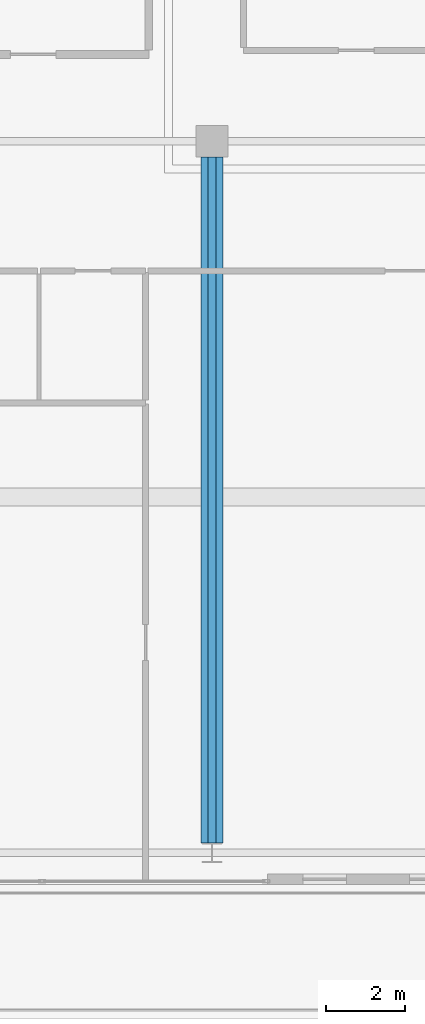
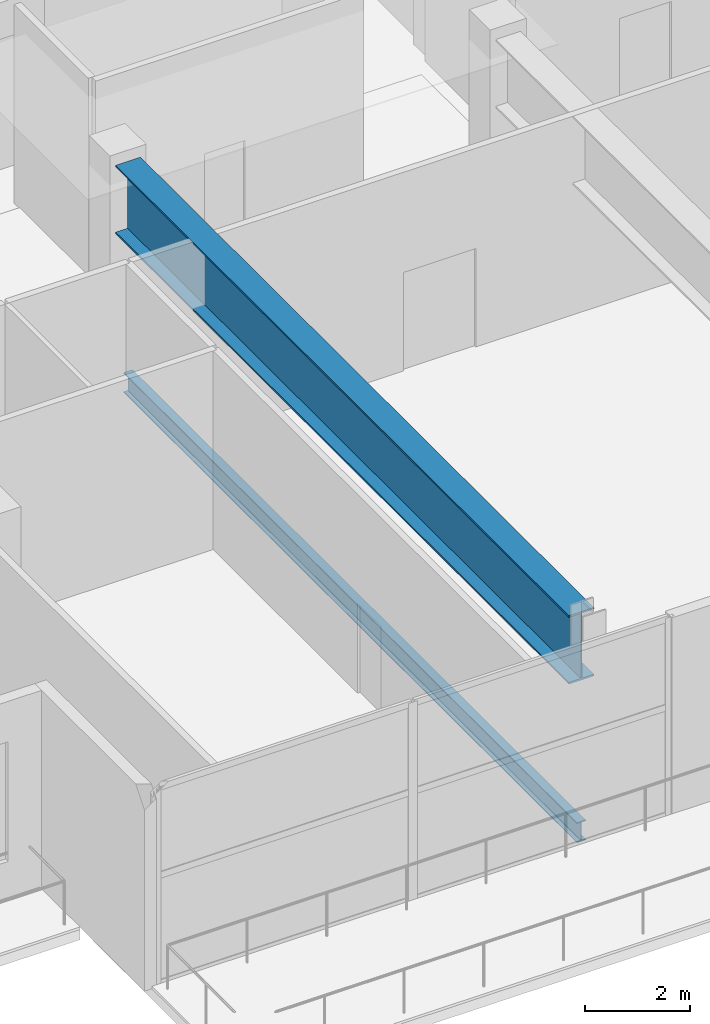
# One storey, part 4 of 22: 2 beams.
"""IFC4 building model written with IfcOpenShell, lengths in metres."""

import ifcopenshell
import ifcopenshell.guid

model = None  # the IFC model being written
_history = None  # IfcOwnerHistory: only IFC2X3 demands one
_inside = {}  # id of a spatial element -> (the spatial element, [elements in it])
_under = {}  # id of a project, library or spatial element -> (it, [spatial elements below it])
_declared = {}  # id of a project -> (the project, [libraries it declares])
_typed = {}  # id of a type object -> (the type object, [elements of that type])
_made_of = {}  # id of a material, layer set ... -> (it, [elements and type objects made of it])


def new_model(schema):
    """Start an empty IFC model of exactly this schema.

    Asked for "IFC4X3", IfcOpenShell would pick the latest addendum, in which some entities
    have other attributes; the version numbers below select the first issue.
    IFC2X3 requires an IfcOwnerHistory on every rooted entity: one is made here for all.
    """
    global model, _history
    if schema == "IFC4X3":
        model = ifcopenshell.file(schema_version=(4, 3, 0, 0))
    else:
        model = ifcopenshell.file(schema=schema)
    _inside.clear()
    _under.clear()
    _declared.clear()
    _typed.clear()
    _made_of.clear()
    _history = None
    if model.schema == "IFC2X3":
        org = make("IfcOrganization", Name="unknown")
        user = make(
            "IfcPersonAndOrganization",
            ThePerson=make("IfcPerson", FamilyName="unknown"),
            TheOrganization=org,
        )
        app = make(
            "IfcApplication",
            ApplicationDeveloper=org,
            Version="unknown",
            ApplicationFullName="unknown",
            ApplicationIdentifier="unknown",
        )
        _history = make(
            "IfcOwnerHistory",
            OwningUser=user,
            OwningApplication=app,
            ChangeAction="ADDED",
            CreationDate=0,
        )
    return model


def make(cls, **values):
    """One entity of the class cls with the attributes given. An attribute that is None is left unset."""
    return model.create_entity(
        cls, **{name: value for name, value in values.items() if value is not None}
    )


def rooted(cls, **values):
    """An entity with a GlobalId (a new one), such as an element, a storey or a relation."""
    return make(cls, GlobalId=ifcopenshell.guid.new(), OwnerHistory=_history, **values)


def si_unit(unit_type, name, prefix=None):
    """IfcSIUnit, for example si_unit("LENGTHUNIT", "METRE", prefix="MILLI")."""
    return make("IfcSIUnit", UnitType=unit_type, Prefix=prefix, Name=name)


def assignment(units):
    """IfcUnitAssignment: the units of a project."""
    return None if units is None else make("IfcUnitAssignment", Units=units)


def point(xyz):
    """IfcCartesianPoint."""
    return None if xyz is None else make("IfcCartesianPoint", Coordinates=xyz)


def direction(xyz):
    """IfcDirection."""
    return None if xyz is None else make("IfcDirection", DirectionRatios=xyz)


def frame(location, z_axis=None, x_axis=None):
    """IfcAxis2Placement3D, a coordinate frame: its origin and axes. An axis left out is left unset."""
    return make(
        "IfcAxis2Placement3D",
        Location=point(location),
        Axis=direction(z_axis),
        RefDirection=direction(x_axis),
    )


def frame_2d(location, x_axis=None):
    """IfcAxis2Placement2D, a coordinate frame in the plane: its origin and x axis."""
    return make(
        "IfcAxis2Placement2D", Location=point(location), RefDirection=direction(x_axis)
    )


def origin():
    """The frame at (0, 0, 0) with its axes left unset."""
    return frame((0.0, 0.0, 0.0))


def origin_2d():
    """The frame at (0, 0) in the plane with its x axis left unset."""
    return frame_2d((0.0, 0.0))


def place(relative_to, where):
    """IfcLocalPlacement: puts the frame where relative to a parent placement (None: the world)."""
    return make(
        "IfcLocalPlacement", PlacementRelTo=relative_to, RelativePlacement=where
    )


def context(
    kind, dimensions, precision=None, world=None, true_north=None, identifier=None
):
    """IfcGeometricRepresentationContext, for example the 3D "Model" context."""
    return make(
        "IfcGeometricRepresentationContext",
        ContextIdentifier=identifier,
        ContextType=kind,
        CoordinateSpaceDimension=dimensions,
        Precision=precision,
        WorldCoordinateSystem=world,
        TrueNorth=true_north,
    )


def subcontext(parent, identifier, kind, view, scale=None):
    """IfcGeometricRepresentationSubContext, for example "Body" below "Model"."""
    return make(
        "IfcGeometricRepresentationSubContext",
        ContextIdentifier=identifier,
        ContextType=kind,
        ParentContext=parent,
        TargetScale=scale,
        TargetView=view,
    )


def project(units=None, contexts=None):
    """IfcProject with its units and contexts."""
    return rooted(
        "IfcProject",
        Name="project",
        RepresentationContexts=contexts,
        UnitsInContext=assignment(units),
    )


def spatial(cls, under=None, at=None, **own):
    """A site, building, storey or space (cls), placed at a placement, below another one or the project."""
    s = rooted(cls, ObjectPlacement=at, **own)
    if under is not None:
        _under.setdefault(under.id(), (under, []))[1].append(s)
    return s


def profile(cls, at=None, kind="AREA", **sizes):
    """A parametric profile (cls). Its sizes go by their IFC names, for example OverallWidth=200.0."""
    return make(cls, ProfileType=kind, Position=at, **sizes)


def i_section(**sizes):
    """IfcIShapeProfileDef."""
    return profile("IfcIShapeProfileDef", **sizes)


def extrude(swept, where, along, depth):
    """IfcExtrudedAreaSolid: the profile swept, set in the frame where, extruded along a direction by depth."""
    return make(
        "IfcExtrudedAreaSolid",
        SweptArea=swept,
        Position=where,
        ExtrudedDirection=direction(along),
        Depth=depth,
    )


def shape(context_of_items, identifier, shape_type, items):
    """IfcShapeRepresentation: the items that make up one representation, for example the "Body"."""
    return make(
        "IfcShapeRepresentation",
        ContextOfItems=context_of_items,
        RepresentationIdentifier=identifier,
        RepresentationType=shape_type,
        Items=items,
    )


def material(Name=None, Category=None):
    """IfcMaterial."""
    return make("IfcMaterial", Name=Name, Category=Category)


def material_profile(
    of_material, cross_section, Name=None, Category=None, Priority=None
):
    """IfcMaterialProfile: a cross section and its material."""
    return make(
        "IfcMaterialProfile",
        Name=Name,
        Material=of_material,
        Profile=cross_section,
        Priority=Priority,
        Category=Category,
    )


def profile_set(profiles, Name=None, composite=None):
    """IfcMaterialProfileSet."""
    return make(
        "IfcMaterialProfileSet",
        Name=Name,
        MaterialProfiles=profiles,
        CompositeProfile=composite,
    )


def made_of(thing, what):
    """Note that an element or type object is made of a material, layer set ...; save() writes the relation."""
    if what is not None:
        _made_of.setdefault(what.id(), (what, []))[1].append(thing)
    return thing


def type_object(cls, material=None, **own):
    """A type object (cls), such as IfcWallType, which elements share."""
    return made_of(rooted(cls, **own), material)


def element(
    cls,
    number,
    at=None,
    inside=None,
    cuts=None,
    type_object=None,
    material=None,
    context=None,
    identifier="Body",
    shape_type=None,
    held_by="IfcProductDefinitionShape",
    body=None,
    shapes=None,
    **own,
):
    """One element of the class cls, such as IfcWall. Its Tag is "e" and its number.

    at: its placement. inside: the storey or other place that contains it. cuts: it is an
    opening in that element (IfcRelVoidsElement). A single representation is given by context,
    identifier, shape_type and body (its items); several are given by shapes. held_by: the class
    of the entity that holds the representations. save() writes the other relations.
    """
    e = rooted(cls, Tag="e%d" % number, ObjectPlacement=at, **own)
    if body is not None:
        shapes = [shape(context, identifier, shape_type, body)]
    if shapes is not None:
        e.Representation = make(held_by, Representations=shapes)
    if inside is not None:
        _inside.setdefault(inside.id(), (inside, []))[1].append(e)
    if cuts is not None:
        rooted(
            "IfcRelVoidsElement", RelatingBuildingElement=cuts, RelatedOpeningElement=e
        )
    if type_object is not None:
        _typed.setdefault(type_object.id(), (type_object, []))[1].append(e)
    return made_of(e, material)


def aggregate(whole, parts):
    """IfcRelAggregates: a whole, such as a stair, and the parts it consists of."""
    return rooted("IfcRelAggregates", RelatingObject=whole, RelatedObjects=parts)


def save(model, path):
    """Write the relations noted so far, then the file.

    IfcRelAggregates (storeys below a building ...), IfcRelContainedInSpatialStructure (elements
    in a storey), IfcRelDefinesByType, IfcRelAssociatesMaterial and IfcRelDeclares: one each for
    every whole, place, type object, material and project.
    """
    for whole, parts in _under.values():
        aggregate(whole, parts)
    for where, things in _inside.values():
        rooted(
            "IfcRelContainedInSpatialStructure",
            RelatedElements=things,
            RelatingStructure=where,
        )
    for kind, things in _typed.values():
        rooted("IfcRelDefinesByType", RelatedObjects=things, RelatingType=kind)
    for what, things in _made_of.values():
        rooted("IfcRelAssociatesMaterial", RelatedObjects=things, RelatingMaterial=what)
    for by, libraries in _declared.values():
        rooted("IfcRelDeclares", RelatingContext=by, RelatedDefinitions=libraries)
    model.write(path)


model = new_model("IFC4")

# Units and contexts
model_context = context("Model", 3, precision=1e-05, world=origin(), true_north=direction((0.0, 1.0)))
body_context = subcontext(model_context, "Body", "Model", "MODEL_VIEW")
ifc_project = project(units=[si_unit("LENGTHUNIT", "METRE"), si_unit("AREAUNIT", "SQUARE_METRE"), si_unit("VOLUMEUNIT", "CUBIC_METRE"), si_unit("PLANEANGLEUNIT", "RADIAN"), si_unit("MASSUNIT", "GRAM", prefix="KILO")], contexts=[model_context])

# Site, building, storey
site_placement = place(None, origin())
site = spatial("IfcSite", under=ifc_project, at=site_placement, CompositionType="ELEMENT")
building_placement = place(site_placement, origin())
building = spatial("IfcBuilding", under=site, at=building_placement, Name="Maruvema Waterfront Hotel and Observation Tower", CompositionType="ELEMENT")
storey_placement = place(building_placement, frame((0.0, 0.0, 354.199951171875)))
storey = spatial("IfcBuildingStorey", under=building, at=storey_placement, Name="L87", CompositionType="ELEMENT", Elevation=354.199951171875)

# Beams
ifc_material_1 = material(Name="Steel ASTM A572 Grade 50", Category="steel")
ifc_material_profile_1 = material_profile(ifc_material_1, i_section(OverallWidth=0.194091796875, OverallDepth=0.468994140625, WebThickness=0.0126953125, FlangeThickness=0.0205078125, FilletRadius=0.014892578125, at=origin_2d()), Name="W460x106.0")
ifc_profile_set_1 = profile_set([ifc_material_profile_1], Name="Steel ASTM A572 Grade 50")
beam_type_1 = type_object("IfcBeamType", Name="Primary Floor Girder W460x106.0", PredefinedType="BEAM", material=ifc_profile_set_1)
beam_1_placement = place(storey_placement, frame((33.60009765625, 18.25, -0.494384765625), z_axis=(0.0, 1.0, 0.0), x_axis=(-1.0, 0.0, 0.0)))
element("IfcBeam", 1, at=beam_1_placement, inside=storey, type_object=beam_type_1, Name="L87 Floor Girder NS-04", PredefinedType="BEAM", context=body_context, shape_type="SweptSolid", body=[
    extrude(i_section(OverallWidth=0.194091796875, OverallDepth=0.468994140625, WebThickness=0.0126953125, FlangeThickness=0.0205078125, FilletRadius=0.014892578125, at=origin_2d()), origin(), (0.0, 0.0, 1.0), 17.35009765625),
])
ifc_material_2 = material(Name="Steel ABNT NBR 7007 AR 415 (ASTM A572 Grade 50)", Category="steel")
ifc_material_profile_2 = material_profile(ifc_material_2, i_section(OverallWidth=0.550048828125, OverallDepth=1.60009765625, WebThickness=0.02197265625, FlangeThickness=0.0400390625, at=origin_2d()), Name="VS1600x548")
ifc_profile_set_2 = profile_set([ifc_material_profile_2], Name="Steel ABNT NBR 7007 AR 415 (ASTM A572 Grade 50)")
beam_type_2 = type_object("IfcBeamType", Name="Setback Transfer Girder VS1600x548", PredefinedType="USERDEFINED", material=ifc_profile_set_2)
beam_2_placement = place(storey_placement, frame((33.60009765625, 18.25, 3.840087890625), z_axis=(0.0, 1.0, 0.0), x_axis=(-1.0, 0.0, 0.0)))
element("IfcBeam", 2, at=beam_2_placement, inside=storey, type_object=beam_type_2, Name="L87 South Crown Setback Transfer Girder X=33.6m", ObjectType="TRANSFER GIRDER", PredefinedType="USERDEFINED", context=body_context, shape_type="SweptSolid", body=[
    extrude(i_section(OverallWidth=0.550048828125, OverallDepth=1.60009765625, WebThickness=0.02197265625, FlangeThickness=0.0400390625, at=origin_2d()), origin(), (0.0, 0.0, 1.0), 17.35009765625),
])

save(model, "model.ifc")
